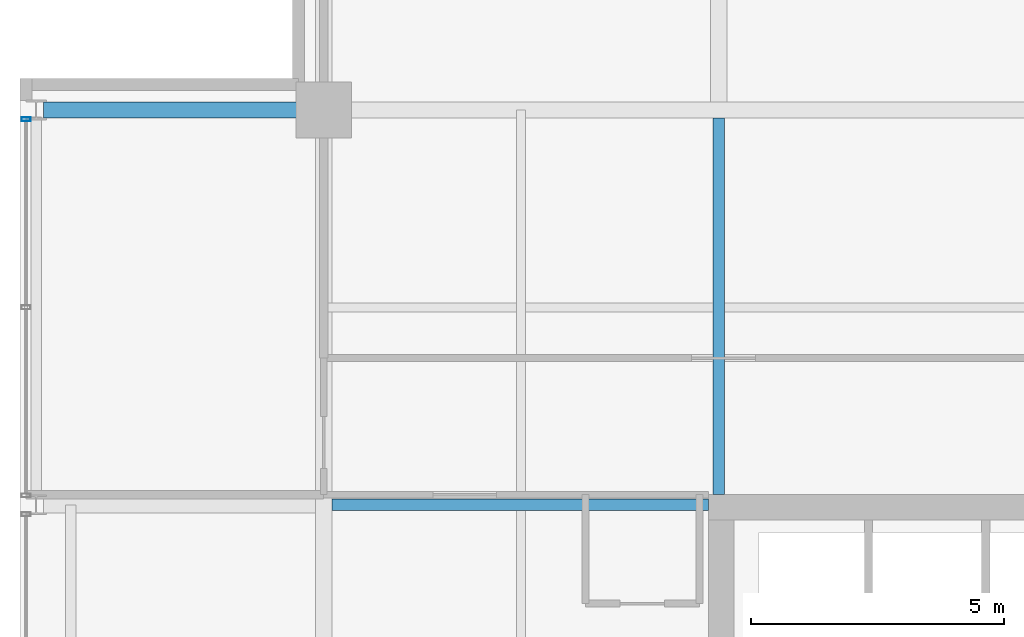
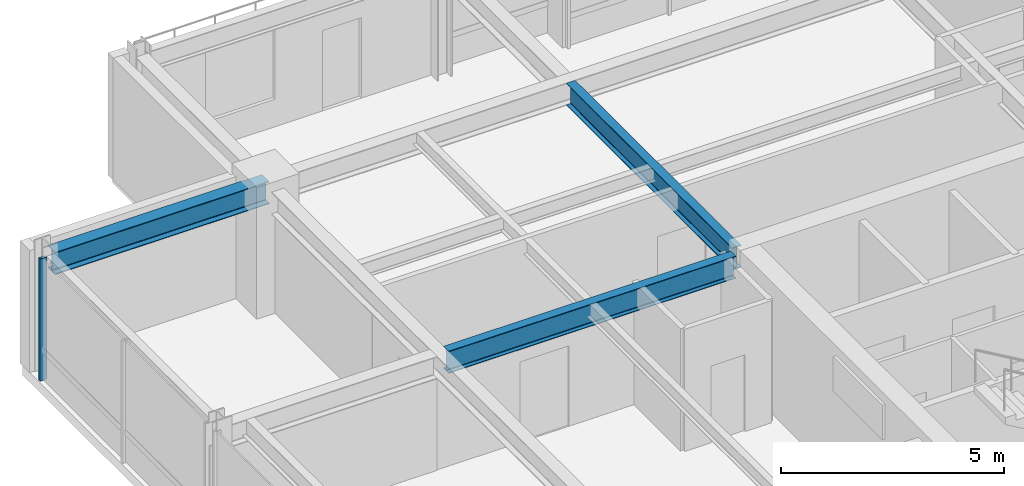
# One storey, part 19 of 32: 3 beams, 1 member, 1 element without a shape of its own.
"""IFC4 building model written with IfcOpenShell, lengths in metres."""

from ifc_helpers import new_model, si_unit, direction, frame, origin, origin_2d, place, context, subcontext, project, spatial, hollow_rectangle, i_section, extrude, material, layer, layer_set, material_profile, profile_set, type_object, element, aggregate, save


model = new_model("IFC4")

# Units and contexts
model_context = context("Model", 3, precision=1e-05, world=origin(), true_north=direction((0.0, 1.0)))
body_context = subcontext(model_context, "Body", "Model", "MODEL_VIEW")
ifc_project = project(units=[si_unit("LENGTHUNIT", "METRE"), si_unit("AREAUNIT", "SQUARE_METRE"), si_unit("VOLUMEUNIT", "CUBIC_METRE"), si_unit("PLANEANGLEUNIT", "RADIAN"), si_unit("MASSUNIT", "GRAM", prefix="KILO")], contexts=[model_context])

# Site, building, storey
site_placement = place(None, origin())
site = spatial("IfcSite", under=ifc_project, at=site_placement, CompositionType="ELEMENT")
building_placement = place(site_placement, origin())
building = spatial("IfcBuilding", under=site, at=building_placement, Name="Drelvath Grand Hotel", CompositionType="ELEMENT")
storey_placement = place(building_placement, frame((0.0, 0.0, 223.10009765625)))
storey = spatial("IfcBuildingStorey", under=building, at=storey_placement, Name="L58", CompositionType="ELEMENT", Elevation=223.10009765625)

# Curtain wall, member
ifc_material_1 = material(Name="Platinum-Mist Anodised Aluminium Frame", Category="aluminium")
ifc_layer = layer(ifc_material_1, 0.199951171875)
ifc_layer_set = layer_set([ifc_layer], Name="Platinum-Mist Anodised Aluminium Frame")
curtain_wall_type = type_object("IfcCurtainWallType", Name="Stick Curtain Wall CW-05 Platinum Mist High-Rise", PredefinedType="NOTDEFINED", material=ifc_layer_set)
curtain_wall_placement = place(storey_placement, origin())
curtain_wall = element("IfcCurtainWall", 1, at=curtain_wall_placement, inside=storey, type_object=curtain_wall_type, Name="L58 CW-05 Curtain Wall CW05-L58-WN2", PredefinedType="NOTDEFINED")
ifc_material_profile_1 = material_profile(ifc_material_1, hollow_rectangle(XDim=0.074951171875, YDim=0.179931640625, WallThickness=0.0048828125, at=origin_2d()), Name="HSS180X75X5")
ifc_profile_set_1 = profile_set([ifc_material_profile_1], Name="Platinum-Mist Anodised Aluminium Frame")
member_type = type_object("IfcMemberType", Name="Curtain Wall Vertical Mullion CW-05 HSS180X75X5", PredefinedType="MULLION", material=ifc_profile_set_1)
member_placement = place(storey_placement, frame((-22.080078125, 43.0146484375, 0.0), z_axis=(0.0, 0.0, 1.0), x_axis=(0.0, 1.0, 0.0)))
member = element("IfcMember", 2, at=member_placement, type_object=member_type, Name="CW05-L58-WN2 Mullion 3", PredefinedType="MULLION", context=body_context, shape_type="SweptSolid", body=[
    extrude(hollow_rectangle(XDim=0.074951171875, YDim=0.179931640625, WallThickness=0.0048828125, at=origin_2d()), origin(), (0.0, 0.0, 1.0), 3.33984375),
])
aggregate(curtain_wall, [member])

# Beams
ifc_material_2 = material(Name="Steel ASTM A992 Gr 50", Category="steel")
ifc_material_profile_2 = material_profile(ifc_material_2, i_section(OverallWidth=0.323974609375, OverallDepth=0.611083984375, WebThickness=0.0126953125, FlangeThickness=0.01904296875, FilletRadius=0.02197265625, at=origin_2d()), Name="W24X104")
ifc_profile_set_2 = profile_set([ifc_material_profile_2], Name="Steel ASTM A992 Gr 50")
beam_type_1 = type_object("IfcBeamType", Name="Primary Floor Girder W24X104", PredefinedType="BEAM", material=ifc_profile_set_2)
beam_placement = place(storey_placement, frame((-21.739990234375, 43.199951171875, 3.034423828125), z_axis=(1.0, 0.0, 0.0), x_axis=(0.0, 1.0, 0.0)))
element("IfcBeam", 3, at=beam_placement, inside=storey, type_object=beam_type_1, Name="L58 West Grid Girder G", PredefinedType="BEAM", context=body_context, shape_type="SweptSolid", body=[
    extrude(i_section(OverallWidth=0.323974609375, OverallDepth=0.611083984375, WebThickness=0.0126953125, FlangeThickness=0.01904296875, FilletRadius=0.02197265625, at=origin_2d()), origin(), (0.0, 0.0, 1.0), 5.5400390625),
])
ifc_material_profile_3 = material_profile(ifc_material_2, i_section(OverallWidth=0.228271484375, OverallDepth=0.607666015625, WebThickness=0.01123046875, FlangeThickness=0.017333984375, FilletRadius=0.02001953125, at=origin_2d()), Name="W24X76")
ifc_profile_set_3 = profile_set([ifc_material_profile_3], Name="Steel ASTM A992 Gr 50")
beam_type_2 = type_object("IfcBeamType", Name="Primary Floor Girder W24X76", PredefinedType="BEAM", material=ifc_profile_set_3)
for number, where, z_axis, x_axis, name in (
    (4, (-16.0380859375, 35.39990234375, 3.0361328125), (1.0, 0.0, 0.0), (0.0, 1.0, 0.0), "L58 West Core Tie F"),
    (5, (-8.39990234375, 35.60009765625, 3.0361328125), (0.0, 1.0, 0.0), (-1.0, 0.0, 0.0), "L58 North Core Tie 4"),
):
    element("IfcBeam", number, at=place(storey_placement, frame(where, z_axis=z_axis, x_axis=x_axis)), inside=storey, type_object=beam_type_2, Name=name, PredefinedType="BEAM", context=body_context, shape_type="SweptSolid", body=[
        extrude(i_section(OverallWidth=0.228271484375, OverallDepth=0.607666015625, WebThickness=0.01123046875, FlangeThickness=0.017333984375, FilletRadius=0.02001953125, at=origin_2d()), origin(), (0.0, 0.0, 1.0), 7.43798828125),
    ])

save(model, "model.ifc")
